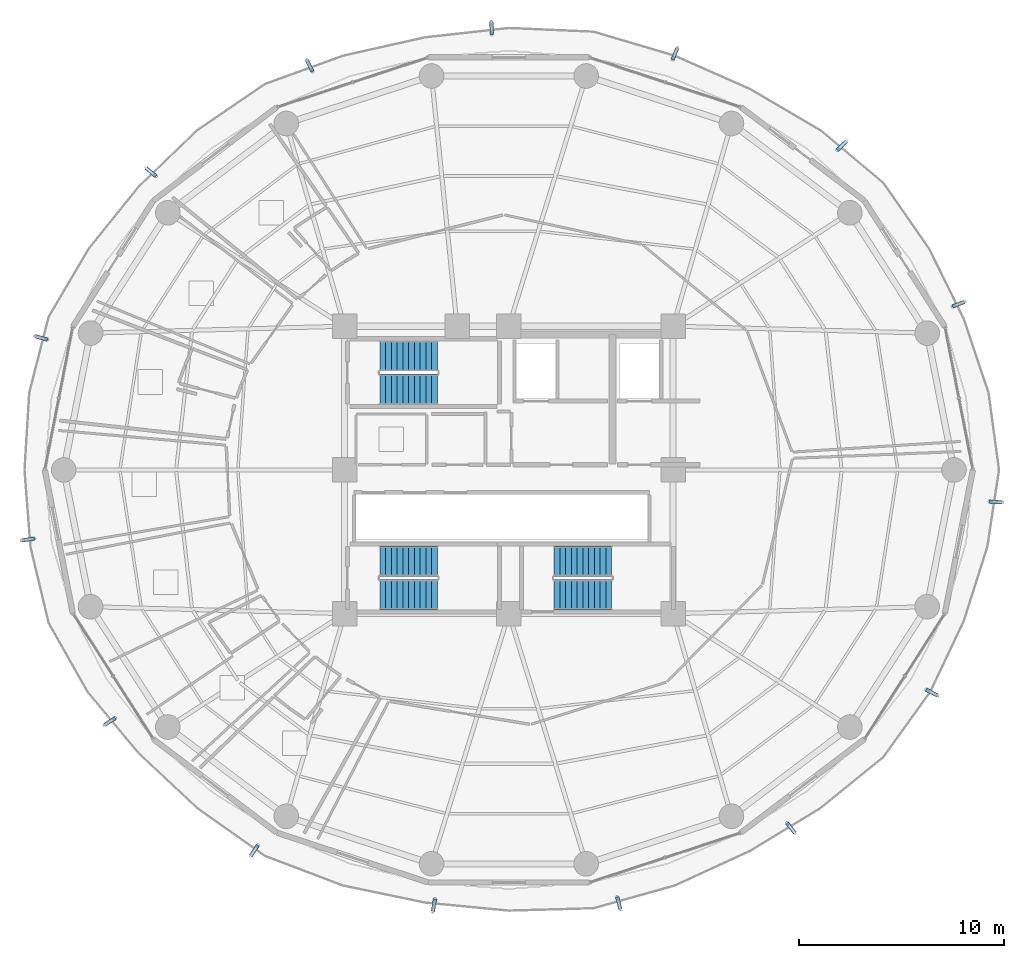
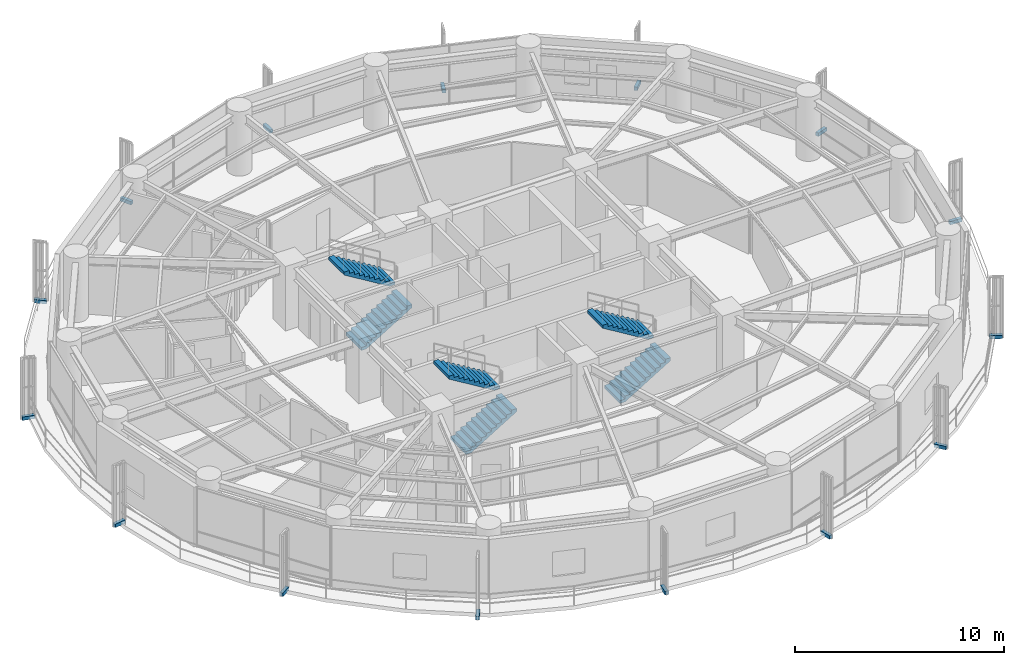
# One storey, part 24 of 28: 15 discrete accessories, 6 stair flights, 3 elements without a shape of their own.
"""IFC4 building model written with IfcOpenShell, lengths in metres."""

from ifc_helpers import new_model, si_unit, direction, frame, origin, origin_2d, place, context, subcontext, project, spatial, polyline, rectangle, outline, extrude, source, transform, mapped, material, type_object, element, aggregate, save


model = new_model("IFC4")

# Units and contexts
model_context = context("Model", 3, precision=1e-05, world=origin(), true_north=direction((0.0, 1.0)))
body_context = subcontext(model_context, "Body", "Model", "MODEL_VIEW")
ifc_project = project(units=[si_unit("LENGTHUNIT", "METRE"), si_unit("AREAUNIT", "SQUARE_METRE"), si_unit("VOLUMEUNIT", "CUBIC_METRE"), si_unit("PLANEANGLEUNIT", "RADIAN"), si_unit("MASSUNIT", "GRAM", prefix="KILO")], contexts=[model_context])

# Site, building, storey
site_placement = place(None, origin())
site = spatial("IfcSite", under=ifc_project, at=site_placement, CompositionType="ELEMENT")
building_placement = place(site_placement, origin())
building = spatial("IfcBuilding", under=site, at=building_placement, Name="Kelanora Arch Commons", CompositionType="ELEMENT")
storey_placement = place(building_placement, frame((0.0, 0.0, 161.85009765625)))
storey = spatial("IfcBuildingStorey", under=building, at=storey_placement, Name="L41", CompositionType="ELEMENT", Elevation=161.85009765625)

# Stair, stair flights
ifc_material_1 = material(Name="Concrete C40/50", Category="concrete")
stair_type = type_object("IfcStairType", Name="STR-DL-375", PredefinedType="HALF_TURN_STAIR", material=ifc_material_1)
stair_1_placement = place(storey_placement, origin())
stair_1 = element("IfcStair", 1, at=stair_1_placement, inside=storey, type_object=stair_type, Name="L41 ST-T1", PredefinedType="HALF_TURN_STAIR")
stair_flight_type = type_object("IfcStairFlightType", Name="FLT-DL-375", PredefinedType="STRAIGHT", material=ifc_material_1)
stair_flight_1_placement = place(storey_placement, frame((67.719970703125, 61.919921875, 0.0), z_axis=(0.0, 0.0, 1.0), x_axis=(1.0, 0.0, 0.0)))
stair_flight_1 = element("IfcStairFlight", 2, at=stair_flight_1_placement, type_object=stair_flight_type, Name="ST-T1 flight 1", NumberOfRisers=11, NumberOfTreads=10, PredefinedType="STRAIGHT", RiserHeight=0.170454545, TreadLength=0.28, context=body_context, shape_type="SweptSolid", body=[
    extrude(outline(polyline([(0.0, 0.0), (0.0, 0.17041015625), (0.280029296875, 0.17041015625), (0.280029296875, 0.3408203125), (0.56005859375, 0.3408203125), (0.56005859375, 0.511474609375), (0.840087890625, 0.511474609375), (0.840087890625, 0.681884765625), (1.1201171875, 0.681884765625), (1.1201171875, 0.852294921875), (1.39990234375, 0.852294921875), (1.39990234375, 1.022705078125), (1.679931640625, 1.022705078125), (1.679931640625, 1.193115234375), (1.9599609375, 1.193115234375), (1.9599609375, 1.363525390625), (2.239990234375, 1.363525390625), (2.239990234375, 1.5341796875), (2.52001953125, 1.5341796875), (2.52001953125, 1.70458984375), (2.800048828125, 1.70458984375), (2.800048828125, 1.875), (2.800048828125, 1.529052734375), (0.288330078125, 0.0), (0.0, 0.0)])), frame((0.0, 0.739990234375, 0.0), z_axis=(0.0, -1.0, 0.0), x_axis=(1.0, 0.0, 0.0)), (0.0, 0.0, 1.0), 1.47998046875),
])
stair_flight_2_placement = place(storey_placement, frame((70.52001953125, 63.550048828125, 1.875), z_axis=(0.0, 0.0, 1.0), x_axis=(-1.0, 0.0, 0.0)))
stair_flight_2 = element("IfcStairFlight", 3, at=stair_flight_2_placement, type_object=stair_flight_type, Name="ST-T1 flight 2", NumberOfRisers=11, NumberOfTreads=10, PredefinedType="STRAIGHT", RiserHeight=0.170454545, TreadLength=0.28, context=body_context, shape_type="SweptSolid", body=[
    extrude(outline(polyline([(0.0, 0.0), (0.0, 0.17041015625), (0.280029296875, 0.17041015625), (0.280029296875, 0.3408203125), (0.56005859375, 0.3408203125), (0.56005859375, 0.511474609375), (0.840087890625, 0.511474609375), (0.840087890625, 0.681884765625), (1.1201171875, 0.681884765625), (1.1201171875, 0.852294921875), (1.39990234375, 0.852294921875), (1.39990234375, 1.022705078125), (1.679931640625, 1.022705078125), (1.679931640625, 1.193115234375), (1.9599609375, 1.193115234375), (1.9599609375, 1.363525390625), (2.239990234375, 1.363525390625), (2.239990234375, 1.5341796875), (2.52001953125, 1.5341796875), (2.52001953125, 1.70458984375), (2.800048828125, 1.70458984375), (2.800048828125, 1.875), (2.800048828125, 1.529052734375), (0.288330078125, 0.0), (0.0, 0.0)])), frame((0.0, 0.739990234375, 0.0), z_axis=(0.0, -1.0, 0.0), x_axis=(1.0, 0.0, 0.0)), (0.0, 0.0, 1.0), 1.47998046875),
])
aggregate(stair_1, [stair_flight_1, stair_flight_2])

stair_2_placement = place(storey_placement, origin())
stair_2 = element("IfcStair", 4, at=stair_2_placement, inside=storey, type_object=stair_type, Name="L41 ST-T2", PredefinedType="HALF_TURN_STAIR")
stair_flight_3_placement = place(storey_placement, frame((76.199951171875, 51.919921875, 0.0), z_axis=(0.0, 0.0, 1.0), x_axis=(1.0, 0.0, 0.0)))
stair_flight_3 = element("IfcStairFlight", 5, at=stair_flight_3_placement, type_object=stair_flight_type, Name="ST-T2 flight 1", NumberOfRisers=11, NumberOfTreads=10, PredefinedType="STRAIGHT", RiserHeight=0.170454545, TreadLength=0.28, context=body_context, shape_type="SweptSolid", body=[
    extrude(outline(polyline([(0.0, 0.0), (0.0, 0.17041015625), (0.280029296875, 0.17041015625), (0.280029296875, 0.3408203125), (0.56005859375, 0.3408203125), (0.56005859375, 0.511474609375), (0.840087890625, 0.511474609375), (0.840087890625, 0.681884765625), (1.1201171875, 0.681884765625), (1.1201171875, 0.852294921875), (1.39990234375, 0.852294921875), (1.39990234375, 1.022705078125), (1.679931640625, 1.022705078125), (1.679931640625, 1.193115234375), (1.9599609375, 1.193115234375), (1.9599609375, 1.363525390625), (2.239990234375, 1.363525390625), (2.239990234375, 1.5341796875), (2.52001953125, 1.5341796875), (2.52001953125, 1.70458984375), (2.800048828125, 1.70458984375), (2.800048828125, 1.875), (2.800048828125, 1.529052734375), (0.288330078125, 0.0), (0.0, 0.0)])), frame((0.0, 0.739990234375, 0.0), z_axis=(0.0, -1.0, 0.0), x_axis=(1.0, 0.0, 0.0)), (0.0, 0.0, 1.0), 1.47998046875),
])
stair_flight_4_placement = place(storey_placement, frame((79.0, 53.550048828125, 1.875), z_axis=(0.0, 0.0, 1.0), x_axis=(-1.0, 0.0, 0.0)))
stair_flight_4 = element("IfcStairFlight", 6, at=stair_flight_4_placement, type_object=stair_flight_type, Name="ST-T2 flight 2", NumberOfRisers=11, NumberOfTreads=10, PredefinedType="STRAIGHT", RiserHeight=0.170454545, TreadLength=0.28, context=body_context, shape_type="SweptSolid", body=[
    extrude(outline(polyline([(0.0, 0.0), (0.0, 0.17041015625), (0.280029296875, 0.17041015625), (0.280029296875, 0.3408203125), (0.56005859375, 0.3408203125), (0.56005859375, 0.511474609375), (0.840087890625, 0.511474609375), (0.840087890625, 0.681884765625), (1.1201171875, 0.681884765625), (1.1201171875, 0.852294921875), (1.39990234375, 0.852294921875), (1.39990234375, 1.022705078125), (1.679931640625, 1.022705078125), (1.679931640625, 1.193115234375), (1.9599609375, 1.193115234375), (1.9599609375, 1.363525390625), (2.239990234375, 1.363525390625), (2.239990234375, 1.5341796875), (2.52001953125, 1.5341796875), (2.52001953125, 1.70458984375), (2.800048828125, 1.70458984375), (2.800048828125, 1.875), (2.800048828125, 1.529052734375), (0.288330078125, 0.0), (0.0, 0.0)])), frame((0.0, 0.739990234375, 0.0), z_axis=(0.0, -1.0, 0.0), x_axis=(1.0, 0.0, 0.0)), (0.0, 0.0, 1.0), 1.47998046875),
])
aggregate(stair_2, [stair_flight_3, stair_flight_4])

stair_3_placement = place(storey_placement, origin())
stair_3 = element("IfcStair", 7, at=stair_3_placement, inside=storey, type_object=stair_type, Name="L41 ST-T3", PredefinedType="HALF_TURN_STAIR")
stair_flight_5_placement = place(storey_placement, frame((67.719970703125, 51.919921875, 0.0), z_axis=(0.0, 0.0, 1.0), x_axis=(1.0, 0.0, 0.0)))
stair_flight_5 = element("IfcStairFlight", 8, at=stair_flight_5_placement, type_object=stair_flight_type, Name="ST-T3 flight 1", NumberOfRisers=11, NumberOfTreads=10, PredefinedType="STRAIGHT", RiserHeight=0.170454545, TreadLength=0.28, context=body_context, shape_type="SweptSolid", body=[
    extrude(outline(polyline([(0.0, 0.0), (0.0, 0.17041015625), (0.280029296875, 0.17041015625), (0.280029296875, 0.3408203125), (0.56005859375, 0.3408203125), (0.56005859375, 0.511474609375), (0.840087890625, 0.511474609375), (0.840087890625, 0.681884765625), (1.1201171875, 0.681884765625), (1.1201171875, 0.852294921875), (1.39990234375, 0.852294921875), (1.39990234375, 1.022705078125), (1.679931640625, 1.022705078125), (1.679931640625, 1.193115234375), (1.9599609375, 1.193115234375), (1.9599609375, 1.363525390625), (2.239990234375, 1.363525390625), (2.239990234375, 1.5341796875), (2.52001953125, 1.5341796875), (2.52001953125, 1.70458984375), (2.800048828125, 1.70458984375), (2.800048828125, 1.875), (2.800048828125, 1.529052734375), (0.288330078125, 0.0), (0.0, 0.0)])), frame((0.0, 0.739990234375, 0.0), z_axis=(0.0, -1.0, 0.0), x_axis=(1.0, 0.0, 0.0)), (0.0, 0.0, 1.0), 1.47998046875),
])
stair_flight_6_placement = place(storey_placement, frame((70.52001953125, 53.550048828125, 1.875), z_axis=(0.0, 0.0, 1.0), x_axis=(-1.0, 0.0, 0.0)))
stair_flight_6 = element("IfcStairFlight", 9, at=stair_flight_6_placement, type_object=stair_flight_type, Name="ST-T3 flight 2", NumberOfRisers=11, NumberOfTreads=10, PredefinedType="STRAIGHT", RiserHeight=0.170454545, TreadLength=0.28, context=body_context, shape_type="SweptSolid", body=[
    extrude(outline(polyline([(0.0, 0.0), (0.0, 0.17041015625), (0.280029296875, 0.17041015625), (0.280029296875, 0.3408203125), (0.56005859375, 0.3408203125), (0.56005859375, 0.511474609375), (0.840087890625, 0.511474609375), (0.840087890625, 0.681884765625), (1.1201171875, 0.681884765625), (1.1201171875, 0.852294921875), (1.39990234375, 0.852294921875), (1.39990234375, 1.022705078125), (1.679931640625, 1.022705078125), (1.679931640625, 1.193115234375), (1.9599609375, 1.193115234375), (1.9599609375, 1.363525390625), (2.239990234375, 1.363525390625), (2.239990234375, 1.5341796875), (2.52001953125, 1.5341796875), (2.52001953125, 1.70458984375), (2.800048828125, 1.70458984375), (2.800048828125, 1.875), (2.800048828125, 1.529052734375), (0.288330078125, 0.0), (0.0, 0.0)])), frame((0.0, 0.739990234375, 0.0), z_axis=(0.0, -1.0, 0.0), x_axis=(1.0, 0.0, 0.0)), (0.0, 0.0, 1.0), 1.47998046875),
])
aggregate(stair_3, [stair_flight_5, stair_flight_6])

# Discrete accessories
ifc_material_2 = material(Name="Stainless steel 316 marine fin bracket", Category="steel")
discrete_accessory_type = type_object("IfcDiscreteAccessoryType", Name="ACC-FIN-BRK", PredefinedType="BRACKET", material=ifc_material_2)
shared_shape = source(origin(), body_context, "Body", "SweptSolid", [
    extrude(rectangle(XDim=0.621337890625, YDim=0.179931640625, at=origin_2d()), origin(), (0.0, 0.0, 1.0), 0.199951171875),
])
for number, where, z_axis, x_axis, name in (
    (10, (97.7216796875, 56.43896484375, -0.16015625), (0.0, 0.0, 1.0), (0.997836032447, -0.065751443712, 0.0), "Sweeping Fin Cantilever Spine Bracket L41-00"),
    (11, (95.898193359375, 66.072265625, -0.16015625), (0.0, 0.0, 1.0), (0.938312096407, 0.345789545441, 0.0), "Sweeping Fin Cantilever Spine Bracket L41-01"),
    (12, (90.21826171875, 73.790771484375, -0.16015625), (0.0, 0.0, 1.0), (0.7165454746, 0.697540380788, 0.0), "Sweeping Fin Cantilever Spine Bracket L41-02"),
    (13, (82.090087890625, 78.2626953125, -0.16015625), (0.0, 0.0, 1.0), (0.370881630624, 0.928680147341, 0.0), "Sweeping Fin Cantilever Spine Bracket L41-03"),
    (14, (73.16015625, 79.52001953125, -0.16015625), (0.0, 0.0, 1.0), (-0.038911016641, 0.999242679625, 0.0), "Sweeping Fin Cantilever Spine Bracket L41-04"),
    (15, (64.301513671875, 77.679931640625, -0.16015625), (0.0, 0.0, 1.0), (-0.441975595633, 0.897027074767, 0.0), "Sweeping Fin Cantilever Spine Bracket L41-05"),
    (16, (56.57275390625, 72.501708984375, -0.16015625), (0.0, 0.0, 1.0), (-0.768730217204, 0.639573180455, 0.0), "Sweeping Fin Cantilever Spine Bracket L41-06"),
    (17, (51.231201171875, 64.427978515625, -0.16015625), (0.0, 0.0, 1.0), (-0.962407846499, 0.271608425858, 0.0), "Sweeping Fin Cantilever Spine Bracket L41-07"),
    (18, (50.58447265625, 54.611083984375, -0.16015625), (0.0, 0.0, 1.0), (-0.989676415933, -0.143319893055, 0.0), "Sweeping Fin Cantilever Spine Bracket L41-08"),
    (19, (54.569091796875, 45.747314453125, -0.16015625), (0.0, 0.0, 1.0), (-0.845820942125, -0.533466900438, 0.0), "Sweeping Fin Cantilever Spine Bracket L41-09"),
    (20, (61.603515625, 39.4580078125, -0.16015625), (0.0, 0.0, 1.0), (-0.555715343381, -0.831372634341, 0.0), "Sweeping Fin Cantilever Spine Bracket L41-10"),
    (21, (70.351318359375, 36.7998046875, -0.16015625), (0.0, 0.0, 1.0), (-0.169521513251, -0.985526486983, 0.0), "Sweeping Fin Cantilever Spine Bracket L41-11"),
    (22, (79.351318359375, 36.906494140625, -0.16015625), (0.0, 0.0, 1.0), (0.245984126575, -0.969273856799, 0.0), "Sweeping Fin Cantilever Spine Bracket L41-12"),
    (23, (87.743896484375, 40.556884765625, -0.16015625), (0.0, 0.0, 1.0), (0.61895687622, -0.785424971197, 0.0), "Sweeping Fin Cantilever Spine Bracket L41-13"),
    (24, (94.59912109375, 47.155517578125, -0.16015625), (0.0, 0.0, 1.0), (0.88490635892, -0.465768972714, 0.0), "Sweeping Fin Cantilever Spine Bracket L41-14"),
):
    element("IfcDiscreteAccessory", number, at=place(storey_placement, frame(where, z_axis=z_axis, x_axis=x_axis)), inside=storey, type_object=discrete_accessory_type, Name=name, PredefinedType="BRACKET", context=body_context, shape_type="MappedRepresentation", body=[
        mapped(shared_shape, transform((0.0, 0.0, 0.0), scale=1.0)),
    ])

save(model, "model.ifc")
